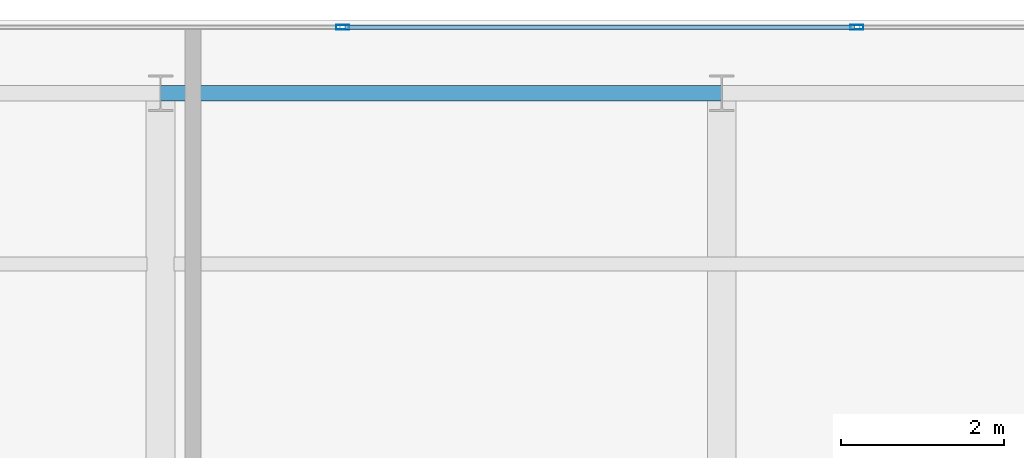
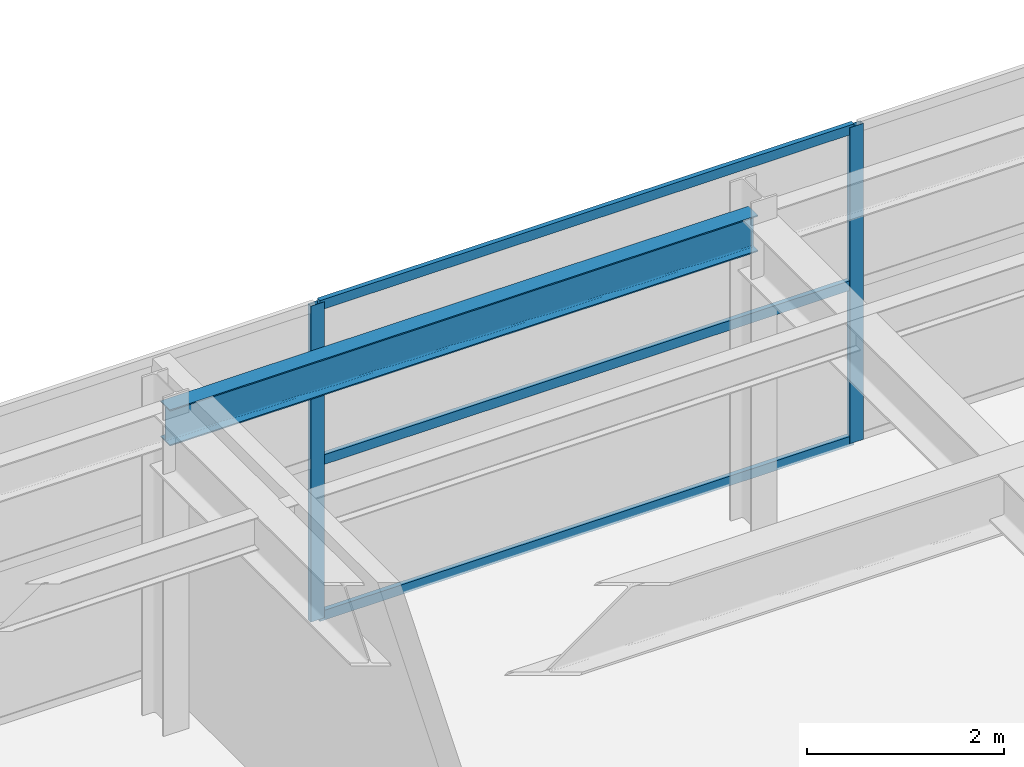
# One storey, part 25 of 32: 5 members, 1 beam, 1 element without a shape of its own.
"""IFC4 building model written with IfcOpenShell, lengths in metres."""

import ifcopenshell
import ifcopenshell.guid

model = None  # the IFC model being written
_history = None  # IfcOwnerHistory: only IFC2X3 demands one
_inside = {}  # id of a spatial element -> (the spatial element, [elements in it])
_under = {}  # id of a project, library or spatial element -> (it, [spatial elements below it])
_declared = {}  # id of a project -> (the project, [libraries it declares])
_typed = {}  # id of a type object -> (the type object, [elements of that type])
_made_of = {}  # id of a material, layer set ... -> (it, [elements and type objects made of it])


def new_model(schema):
    """Start an empty IFC model of exactly this schema.

    Asked for "IFC4X3", IfcOpenShell would pick the latest addendum, in which some entities
    have other attributes; the version numbers below select the first issue.
    IFC2X3 requires an IfcOwnerHistory on every rooted entity: one is made here for all.
    """
    global model, _history
    if schema == "IFC4X3":
        model = ifcopenshell.file(schema_version=(4, 3, 0, 0))
    else:
        model = ifcopenshell.file(schema=schema)
    _inside.clear()
    _under.clear()
    _declared.clear()
    _typed.clear()
    _made_of.clear()
    _history = None
    if model.schema == "IFC2X3":
        org = make("IfcOrganization", Name="unknown")
        user = make(
            "IfcPersonAndOrganization",
            ThePerson=make("IfcPerson", FamilyName="unknown"),
            TheOrganization=org,
        )
        app = make(
            "IfcApplication",
            ApplicationDeveloper=org,
            Version="unknown",
            ApplicationFullName="unknown",
            ApplicationIdentifier="unknown",
        )
        _history = make(
            "IfcOwnerHistory",
            OwningUser=user,
            OwningApplication=app,
            ChangeAction="ADDED",
            CreationDate=0,
        )
    return model


def make(cls, **values):
    """One entity of the class cls with the attributes given. An attribute that is None is left unset."""
    return model.create_entity(
        cls, **{name: value for name, value in values.items() if value is not None}
    )


def rooted(cls, **values):
    """An entity with a GlobalId (a new one), such as an element, a storey or a relation."""
    return make(cls, GlobalId=ifcopenshell.guid.new(), OwnerHistory=_history, **values)


def si_unit(unit_type, name, prefix=None):
    """IfcSIUnit, for example si_unit("LENGTHUNIT", "METRE", prefix="MILLI")."""
    return make("IfcSIUnit", UnitType=unit_type, Prefix=prefix, Name=name)


def assignment(units):
    """IfcUnitAssignment: the units of a project."""
    return None if units is None else make("IfcUnitAssignment", Units=units)


def point(xyz):
    """IfcCartesianPoint."""
    return None if xyz is None else make("IfcCartesianPoint", Coordinates=xyz)


def direction(xyz):
    """IfcDirection."""
    return None if xyz is None else make("IfcDirection", DirectionRatios=xyz)


def frame(location, z_axis=None, x_axis=None):
    """IfcAxis2Placement3D, a coordinate frame: its origin and axes. An axis left out is left unset."""
    return make(
        "IfcAxis2Placement3D",
        Location=point(location),
        Axis=direction(z_axis),
        RefDirection=direction(x_axis),
    )


def frame_2d(location, x_axis=None):
    """IfcAxis2Placement2D, a coordinate frame in the plane: its origin and x axis."""
    return make(
        "IfcAxis2Placement2D", Location=point(location), RefDirection=direction(x_axis)
    )


def origin():
    """The frame at (0, 0, 0) with its axes left unset."""
    return frame((0.0, 0.0, 0.0))


def origin_2d():
    """The frame at (0, 0) in the plane with its x axis left unset."""
    return frame_2d((0.0, 0.0))


def place(relative_to, where):
    """IfcLocalPlacement: puts the frame where relative to a parent placement (None: the world)."""
    return make(
        "IfcLocalPlacement", PlacementRelTo=relative_to, RelativePlacement=where
    )


def context(
    kind, dimensions, precision=None, world=None, true_north=None, identifier=None
):
    """IfcGeometricRepresentationContext, for example the 3D "Model" context."""
    return make(
        "IfcGeometricRepresentationContext",
        ContextIdentifier=identifier,
        ContextType=kind,
        CoordinateSpaceDimension=dimensions,
        Precision=precision,
        WorldCoordinateSystem=world,
        TrueNorth=true_north,
    )


def subcontext(parent, identifier, kind, view, scale=None):
    """IfcGeometricRepresentationSubContext, for example "Body" below "Model"."""
    return make(
        "IfcGeometricRepresentationSubContext",
        ContextIdentifier=identifier,
        ContextType=kind,
        ParentContext=parent,
        TargetScale=scale,
        TargetView=view,
    )


def project(units=None, contexts=None):
    """IfcProject with its units and contexts."""
    return rooted(
        "IfcProject",
        Name="project",
        RepresentationContexts=contexts,
        UnitsInContext=assignment(units),
    )


def spatial(cls, under=None, at=None, **own):
    """A site, building, storey or space (cls), placed at a placement, below another one or the project."""
    s = rooted(cls, ObjectPlacement=at, **own)
    if under is not None:
        _under.setdefault(under.id(), (under, []))[1].append(s)
    return s


def profile(cls, at=None, kind="AREA", **sizes):
    """A parametric profile (cls). Its sizes go by their IFC names, for example OverallWidth=200.0."""
    return make(cls, ProfileType=kind, Position=at, **sizes)


def hollow_rectangle(**sizes):
    """IfcRectangleHollowProfileDef."""
    return profile("IfcRectangleHollowProfileDef", **sizes)


def i_section(**sizes):
    """IfcIShapeProfileDef."""
    return profile("IfcIShapeProfileDef", **sizes)


def extrude(swept, where, along, depth):
    """IfcExtrudedAreaSolid: the profile swept, set in the frame where, extruded along a direction by depth."""
    return make(
        "IfcExtrudedAreaSolid",
        SweptArea=swept,
        Position=where,
        ExtrudedDirection=direction(along),
        Depth=depth,
    )


def shape(context_of_items, identifier, shape_type, items):
    """IfcShapeRepresentation: the items that make up one representation, for example the "Body"."""
    return make(
        "IfcShapeRepresentation",
        ContextOfItems=context_of_items,
        RepresentationIdentifier=identifier,
        RepresentationType=shape_type,
        Items=items,
    )


def source(mapping_origin, context_of_items, identifier, shape_type, items):
    """IfcRepresentationMap: a shape defined once, which mapped items show again and again."""
    return make(
        "IfcRepresentationMap",
        MappingOrigin=mapping_origin,
        MappedRepresentation=shape(context_of_items, identifier, shape_type, items),
    )


def transform(
    local_origin,
    x_axis=None,
    y_axis=None,
    z_axis=None,
    scale=None,
    scale2=None,
    scale3=None,
    uniform=True,
):
    """IfcCartesianTransformationOperator3D, or its non-uniform kind. x_axis, y_axis, z_axis: its Axis1, 2, 3."""
    if uniform:
        return make(
            "IfcCartesianTransformationOperator3D",
            Axis1=direction(x_axis),
            Axis2=direction(y_axis),
            LocalOrigin=point(local_origin),
            Scale=scale,
            Axis3=direction(z_axis),
        )
    return make(
        "IfcCartesianTransformationOperator3DnonUniform",
        Axis1=direction(x_axis),
        Axis2=direction(y_axis),
        LocalOrigin=point(local_origin),
        Scale=scale,
        Axis3=direction(z_axis),
        Scale2=scale2,
        Scale3=scale3,
    )


def mapped(mapping_source, mapping_target):
    """IfcMappedItem: shows the shape of a source again, moved by a transform."""
    return make(
        "IfcMappedItem", MappingSource=mapping_source, MappingTarget=mapping_target
    )


def material(Name=None, Category=None):
    """IfcMaterial."""
    return make("IfcMaterial", Name=Name, Category=Category)


def layer(
    of_material, thickness, ventilated=None, Name=None, Category=None, Priority=None
):
    """IfcMaterialLayer: one layer of a wall or slab, of a material (None: an air gap)."""
    return make(
        "IfcMaterialLayer",
        Material=of_material,
        LayerThickness=thickness,
        IsVentilated=ventilated,
        Name=Name,
        Category=Category,
        Priority=Priority,
    )


def layer_set(layers, Name=None):
    """IfcMaterialLayerSet."""
    return make("IfcMaterialLayerSet", MaterialLayers=layers, LayerSetName=Name)


def material_profile(
    of_material, cross_section, Name=None, Category=None, Priority=None
):
    """IfcMaterialProfile: a cross section and its material."""
    return make(
        "IfcMaterialProfile",
        Name=Name,
        Material=of_material,
        Profile=cross_section,
        Priority=Priority,
        Category=Category,
    )


def profile_set(profiles, Name=None, composite=None):
    """IfcMaterialProfileSet."""
    return make(
        "IfcMaterialProfileSet",
        Name=Name,
        MaterialProfiles=profiles,
        CompositeProfile=composite,
    )


def made_of(thing, what):
    """Note that an element or type object is made of a material, layer set ...; save() writes the relation."""
    if what is not None:
        _made_of.setdefault(what.id(), (what, []))[1].append(thing)
    return thing


def type_object(cls, material=None, **own):
    """A type object (cls), such as IfcWallType, which elements share."""
    return made_of(rooted(cls, **own), material)


def element(
    cls,
    number,
    at=None,
    inside=None,
    cuts=None,
    type_object=None,
    material=None,
    context=None,
    identifier="Body",
    shape_type=None,
    held_by="IfcProductDefinitionShape",
    body=None,
    shapes=None,
    **own,
):
    """One element of the class cls, such as IfcWall. Its Tag is "e" and its number.

    at: its placement. inside: the storey or other place that contains it. cuts: it is an
    opening in that element (IfcRelVoidsElement). A single representation is given by context,
    identifier, shape_type and body (its items); several are given by shapes. held_by: the class
    of the entity that holds the representations. save() writes the other relations.
    """
    e = rooted(cls, Tag="e%d" % number, ObjectPlacement=at, **own)
    if body is not None:
        shapes = [shape(context, identifier, shape_type, body)]
    if shapes is not None:
        e.Representation = make(held_by, Representations=shapes)
    if inside is not None:
        _inside.setdefault(inside.id(), (inside, []))[1].append(e)
    if cuts is not None:
        rooted(
            "IfcRelVoidsElement", RelatingBuildingElement=cuts, RelatedOpeningElement=e
        )
    if type_object is not None:
        _typed.setdefault(type_object.id(), (type_object, []))[1].append(e)
    return made_of(e, material)


def aggregate(whole, parts):
    """IfcRelAggregates: a whole, such as a stair, and the parts it consists of."""
    return rooted("IfcRelAggregates", RelatingObject=whole, RelatedObjects=parts)


def save(model, path):
    """Write the relations noted so far, then the file.

    IfcRelAggregates (storeys below a building ...), IfcRelContainedInSpatialStructure (elements
    in a storey), IfcRelDefinesByType, IfcRelAssociatesMaterial and IfcRelDeclares: one each for
    every whole, place, type object, material and project.
    """
    for whole, parts in _under.values():
        aggregate(whole, parts)
    for where, things in _inside.values():
        rooted(
            "IfcRelContainedInSpatialStructure",
            RelatedElements=things,
            RelatingStructure=where,
        )
    for kind, things in _typed.values():
        rooted("IfcRelDefinesByType", RelatedObjects=things, RelatingType=kind)
    for what, things in _made_of.values():
        rooted("IfcRelAssociatesMaterial", RelatedObjects=things, RelatingMaterial=what)
    for by, libraries in _declared.values():
        rooted("IfcRelDeclares", RelatingContext=by, RelatedDefinitions=libraries)
    model.write(path)


model = new_model("IFC4")

# Units and contexts
model_context = context("Model", 3, precision=1e-05, world=origin(), true_north=direction((0.0, 1.0)))
body_context = subcontext(model_context, "Body", "Model", "MODEL_VIEW")
ifc_project = project(units=[si_unit("LENGTHUNIT", "METRE"), si_unit("AREAUNIT", "SQUARE_METRE"), si_unit("VOLUMEUNIT", "CUBIC_METRE"), si_unit("PLANEANGLEUNIT", "RADIAN"), si_unit("MASSUNIT", "GRAM", prefix="KILO")], contexts=[model_context])

# Site, building, storey
site_placement = place(None, origin())
site = spatial("IfcSite", under=ifc_project, at=site_placement, CompositionType="ELEMENT")
building_placement = place(site_placement, origin())
building = spatial("IfcBuilding", under=site, at=building_placement, Name="Khoralis Quay Care Tower", CompositionType="ELEMENT")
storey_placement = place(building_placement, frame((0.0, 0.0, 297.89990234375)))
storey = spatial("IfcBuildingStorey", under=building, at=storey_placement, Name="L78", CompositionType="ELEMENT", Elevation=297.89990234375)

# Beam
ifc_material_1 = material(Name="Steel S355", Category="steel")
ifc_material_profile_1 = material_profile(ifc_material_1, i_section(OverallWidth=0.18994140625, OverallDepth=0.449951171875, WebThickness=0.009521484375, FlangeThickness=0.0146484375, FilletRadius=0.02099609375, at=origin_2d()), Name="Steel S355")
ifc_profile_set_1 = profile_set([ifc_material_profile_1], Name="Steel S355")
beam_type = type_object("IfcBeamType", Name="BM-IPE450", PredefinedType="SPANDREL", material=ifc_profile_set_1)
shared_shape_1 = source(origin(), body_context, "Body", "SweptSolid", [
    extrude(i_section(OverallWidth=0.18994140625, OverallDepth=0.449951171875, WebThickness=0.009521484375, FlangeThickness=0.0146484375, FilletRadius=0.02099609375, at=origin_2d()), origin(), (0.0, 0.0, 1.0), 6.89990234375),
])
beam_placement = place(storey_placement, frame((17.10009765625, 41.10009765625, 3.695068359375), z_axis=(1.0, 0.0, 0.0), x_axis=(0.0, 1.0, 0.0)))
element("IfcBeam", 1, at=beam_placement, inside=storey, type_object=beam_type, Name="BM-TSP-L78-06", PredefinedType="SPANDREL", context=body_context, shape_type="MappedRepresentation", body=[
    mapped(shared_shape_1, transform((0.0, 0.0, 0.0), scale=1.0)),
])

# Curtain wall, members
ifc_material_2 = material(Name="Pale anodised aluminium", Category="aluminium")
ifc_layer = layer(ifc_material_2, 0.199951171875)
ifc_layer_set = layer_set([ifc_layer], Name="Pale anodised aluminium")
curtain_wall_type = type_object("IfcCurtainWallType", Name="CW-SYS-LANTERN", PredefinedType="NOTDEFINED", material=ifc_layer_set)
curtain_wall_placement = place(storey_placement, origin())
curtain_wall = element("IfcCurtainWall", 2, at=curtain_wall_placement, inside=storey, type_object=curtain_wall_type, Name="L78 Unitised Curtain Wall CW-LN-L78-11", PredefinedType="NOTDEFINED")
ifc_material_profile_2 = material_profile(ifc_material_2, hollow_rectangle(XDim=0.06005859375, YDim=0.159912109375, WallThickness=0.00390625, at=origin_2d()), Name="Pale anodised aluminium")
ifc_profile_set_2 = profile_set([ifc_material_profile_2], Name="Pale anodised aluminium")
member_type_1 = type_object("IfcMemberType", Name="CW-MUL-160", PredefinedType="MULLION", material=ifc_profile_set_2)
shared_shape_2 = source(origin(), body_context, "Body", "SweptSolid", [
    extrude(hollow_rectangle(XDim=0.06005859375, YDim=0.159912109375, WallThickness=0.00390625, at=origin_2d()), origin(), (0.0, 0.0, 1.0), 3.920166015625),
])
member_1_placement = place(storey_placement, frame((25.662109375, 41.909912109375, 0.0), z_axis=(0.0, 0.0, 1.0), x_axis=(0.0, -1.0, 0.0)))
member_1 = element("IfcMember", 3, at=member_1_placement, type_object=member_type_1, Name="CW5 mullion 3", PredefinedType="MULLION", context=body_context, shape_type="MappedRepresentation", body=[
    mapped(shared_shape_2, transform((0.0, 0.0, 0.0), scale=1.0)),
])
member_2_placement = place(storey_placement, frame((19.337890625, 41.909912109375, 0.0), z_axis=(0.0, 0.0, 1.0), x_axis=(0.0, -1.0, 0.0)))
member_2 = element("IfcMember", 4, at=member_2_placement, type_object=member_type_1, Name="CW5 mullion 4", PredefinedType="MULLION", context=body_context, shape_type="MappedRepresentation", body=[
    mapped(shared_shape_2, transform((0.0, 0.0, 0.0), scale=1.0)),
])
ifc_material_profile_3 = material_profile(ifc_material_2, hollow_rectangle(XDim=0.054931640625, YDim=0.1201171875, WallThickness=0.00390625, at=origin_2d()), Name="Pale anodised aluminium")
ifc_profile_set_3 = profile_set([ifc_material_profile_3], Name="Pale anodised aluminium")
member_type_2 = type_object("IfcMemberType", Name="CW-TRN-120", PredefinedType="USERDEFINED", material=ifc_profile_set_3)
shared_shape_3 = source(origin(), body_context, "Body", "SweptSolid", [
    extrude(hollow_rectangle(XDim=0.054931640625, YDim=0.1201171875, WallThickness=0.00390625, at=origin_2d()), origin(), (0.0, 0.0, 1.0), 6.26416015625),
])
member_3_placement = place(storey_placement, frame((25.632080078125, 41.909912109375, 0.030029296875), z_axis=(-1.0, 0.0, 0.0), x_axis=(0.0, -1.0, 0.0)))
member_3 = element("IfcMember", 5, at=member_3_placement, type_object=member_type_2, Name="CW5 transom 3.1", ObjectType="TRANSOM", PredefinedType="USERDEFINED", context=body_context, shape_type="MappedRepresentation", body=[
    mapped(shared_shape_3, transform((0.0, 0.0, 0.0), scale=1.0)),
])
member_4_placement = place(storey_placement, frame((25.632080078125, 41.909912109375, 1.960205078125), z_axis=(-1.0, 0.0, 0.0), x_axis=(0.0, -1.0, 0.0)))
member_4 = element("IfcMember", 6, at=member_4_placement, type_object=member_type_2, Name="CW5 transom 3.2", ObjectType="TRANSOM", PredefinedType="USERDEFINED", context=body_context, shape_type="MappedRepresentation", body=[
    mapped(shared_shape_3, transform((0.0, 0.0, 0.0), scale=1.0)),
])
member_5_placement = place(storey_placement, frame((25.632080078125, 41.909912109375, 3.89013671875), z_axis=(-1.0, 0.0, 0.0), x_axis=(0.0, -1.0, 0.0)))
member_5 = element("IfcMember", 7, at=member_5_placement, type_object=member_type_2, Name="CW5 transom 3.3", ObjectType="TRANSOM", PredefinedType="USERDEFINED", context=body_context, shape_type="MappedRepresentation", body=[
    mapped(shared_shape_3, transform((0.0, 0.0, 0.0), scale=1.0)),
])
aggregate(curtain_wall, [member_1, member_2, member_3, member_4, member_5])

save(model, "model.ifc")
